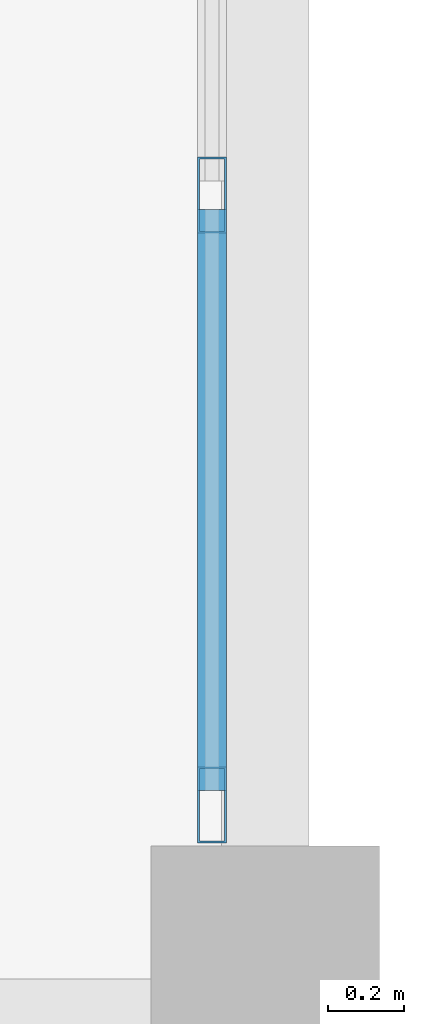
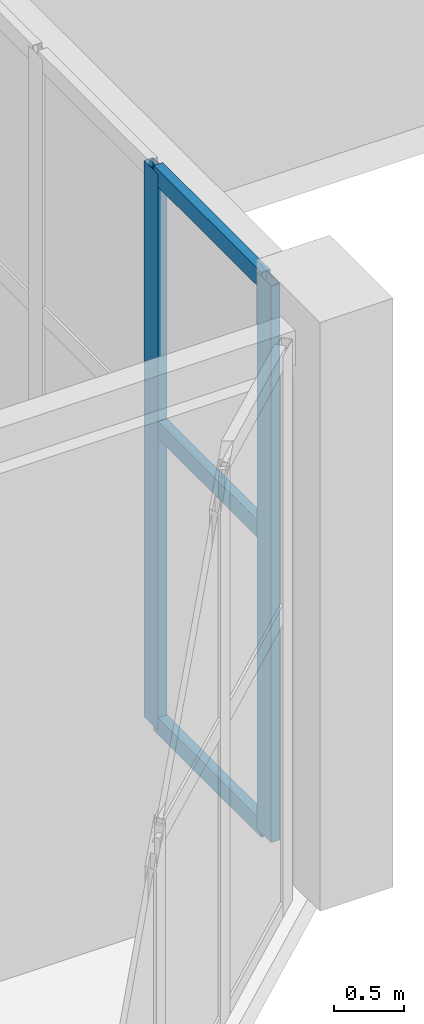
# One storey, part 37 of 128: 5 members, 1 element without a shape of its own.
"""IFC4 building model written with IfcOpenShell, lengths in metres."""

from ifc_helpers import new_model, si_unit, direction, frame, origin, origin_2d, place, context, subcontext, project, spatial, hollow_rectangle, extrude, material, layer, layer_set, material_profile, profile_set, type_object, element, aggregate, save


model = new_model("IFC4")

# Units and contexts
model_context = context("Model", 3, precision=1e-05, world=origin(), true_north=direction((0.0, 1.0)))
body_context = subcontext(model_context, "Body", "Model", "MODEL_VIEW")
ifc_project = project(units=[si_unit("LENGTHUNIT", "METRE"), si_unit("AREAUNIT", "SQUARE_METRE"), si_unit("VOLUMEUNIT", "CUBIC_METRE"), si_unit("PLANEANGLEUNIT", "RADIAN"), si_unit("MASSUNIT", "GRAM", prefix="KILO")], contexts=[model_context])

# Site, building, storey
site_placement = place(None, origin())
site = spatial("IfcSite", under=ifc_project, at=site_placement, CompositionType="ELEMENT")
building_placement = place(site_placement, origin())
building = spatial("IfcBuilding", under=site, at=building_placement, Name="Xicomal Pleat Aquarium", CompositionType="ELEMENT")
storey_placement = place(building_placement, frame((0.0, 0.0, 5.39990234375)))
storey = spatial("IfcBuildingStorey", under=building, at=storey_placement, Name="L02", CompositionType="ELEMENT", Elevation=5.39990234375)

# Curtain wall, members
ifc_material_1 = material(Name="Bronze anodized aluminium 6063-T6", Category="aluminium")
ifc_layer = layer(ifc_material_1, 0.159912109375)
ifc_layer_set = layer_set([ifc_layer], Name="Bronze anodized aluminium 6063-T6")
curtain_wall_type = type_object("IfcCurtainWallType", Name="CW-SYS-07", PredefinedType="NOTDEFINED", material=ifc_layer_set)
curtain_wall_placement = place(storey_placement, origin())
curtain_wall = element("IfcCurtainWall", 1, at=curtain_wall_placement, inside=storey, type_object=curtain_wall_type, Name="L02 unitised curtain wall CW-L02-118", PredefinedType="NOTDEFINED")
ifc_material_2 = material(Name="Bronze anodized aluminium 6063-T6", Category="aluminium")
ifc_material_profile_1 = material_profile(ifc_material_2, hollow_rectangle(XDim=0.074951171875, YDim=0.199951171875, WallThickness=0.00439453125, at=origin_2d()), Name="ALU MULL 75x200")
ifc_profile_set_1 = profile_set([ifc_material_profile_1], Name="Bronze anodized aluminium 6063-T6")
member_type_1 = type_object("IfcMemberType", Name="CWM-75x200", PredefinedType="MULLION", material=ifc_profile_set_1)
member_1_placement = place(storey_placement, frame((94.06005859375, 32.56005859375, 0.0), z_axis=(0.0, 0.0, 1.0), x_axis=(1.0, 0.0, 0.0)))
member_1 = element("IfcMember", 2, at=member_1_placement, type_object=member_type_1, Name="CW-07 mullion 4", PredefinedType="MULLION", context=body_context, shape_type="SweptSolid", body=[
    extrude(hollow_rectangle(XDim=0.074951171875, YDim=0.199951171875, WallThickness=0.00439453125, at=origin_2d()), origin(), (0.0, 0.0, 1.0), 4.820068359375),
])
member_2_placement = place(storey_placement, frame((94.06005859375, 30.95751953125, 0.0), z_axis=(0.0, 0.0, 1.0), x_axis=(1.0, 0.0, 0.0)))
member_2 = element("IfcMember", 3, at=member_2_placement, type_object=member_type_1, Name="CW-07 mullion 5", PredefinedType="MULLION", context=body_context, shape_type="SweptSolid", body=[
    extrude(hollow_rectangle(XDim=0.074951171875, YDim=0.199951171875, WallThickness=0.00439453125, at=origin_2d()), origin(), (0.0, 0.0, 1.0), 4.820068359375),
])
ifc_material_3 = material(Name="Bronze anodized aluminium 6063-T6", Category="aluminium")
ifc_material_profile_2 = material_profile(ifc_material_3, hollow_rectangle(XDim=0.074951171875, YDim=0.14990234375, WallThickness=0.00439453125, at=origin_2d()), Name="ALU TRAN 75x150")
ifc_profile_set_2 = profile_set([ifc_material_profile_2], Name="Bronze anodized aluminium 6063-T6")
member_type_2 = type_object("IfcMemberType", Name="CWT-75x150", PredefinedType="USERDEFINED", material=ifc_profile_set_2)
member_3_placement = place(storey_placement, frame((94.06005859375, 32.5224609375, 0.03759765625), z_axis=(0.0, -1.0, 0.0), x_axis=(1.0, 0.0, 0.0)))
member_3 = element("IfcMember", 4, at=member_3_placement, type_object=member_type_2, Name="CW-07 transom 4.1", ObjectType="TRANSOM", PredefinedType="USERDEFINED", context=body_context, shape_type="SweptSolid", body=[
    extrude(hollow_rectangle(XDim=0.074951171875, YDim=0.14990234375, WallThickness=0.00439453125, at=origin_2d()), origin(), (0.0, 0.0, 1.0), 1.52734375),
])
member_4_placement = place(storey_placement, frame((94.06005859375, 32.5224609375, 2.60302734375), z_axis=(0.0, -1.0, 0.0), x_axis=(1.0, 0.0, 0.0)))
member_4 = element("IfcMember", 5, at=member_4_placement, type_object=member_type_2, Name="CW-07 transom 4.2", ObjectType="TRANSOM", PredefinedType="USERDEFINED", context=body_context, shape_type="SweptSolid", body=[
    extrude(hollow_rectangle(XDim=0.074951171875, YDim=0.14990234375, WallThickness=0.00439453125, at=origin_2d()), origin(), (0.0, 0.0, 1.0), 1.52734375),
])
member_5_placement = place(storey_placement, frame((94.06005859375, 32.5224609375, 4.78271484375), z_axis=(0.0, -1.0, 0.0), x_axis=(1.0, 0.0, 0.0)))
member_5 = element("IfcMember", 6, at=member_5_placement, type_object=member_type_2, Name="CW-07 transom 4.3", ObjectType="TRANSOM", PredefinedType="USERDEFINED", context=body_context, shape_type="SweptSolid", body=[
    extrude(hollow_rectangle(XDim=0.074951171875, YDim=0.14990234375, WallThickness=0.00439453125, at=origin_2d()), origin(), (0.0, 0.0, 1.0), 1.52734375),
])
aggregate(curtain_wall, [member_1, member_2, member_3, member_4, member_5])

save(model, "model.ifc")
